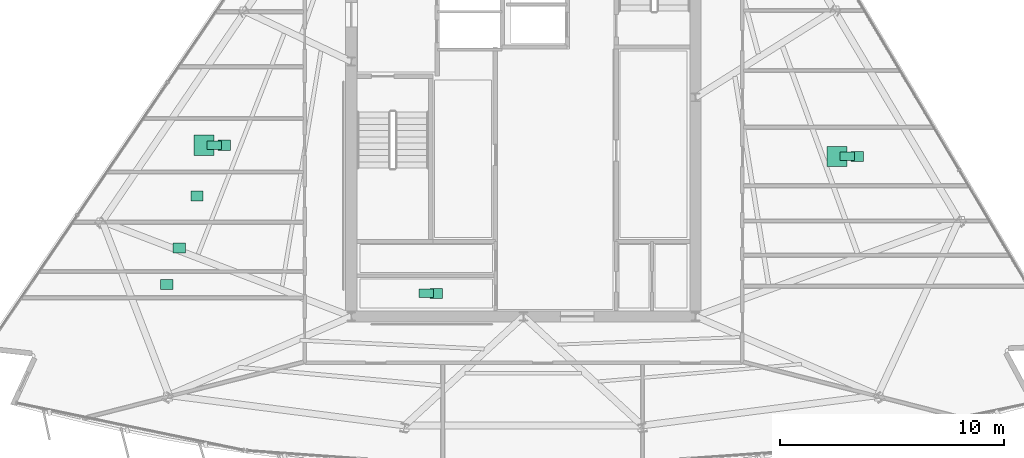
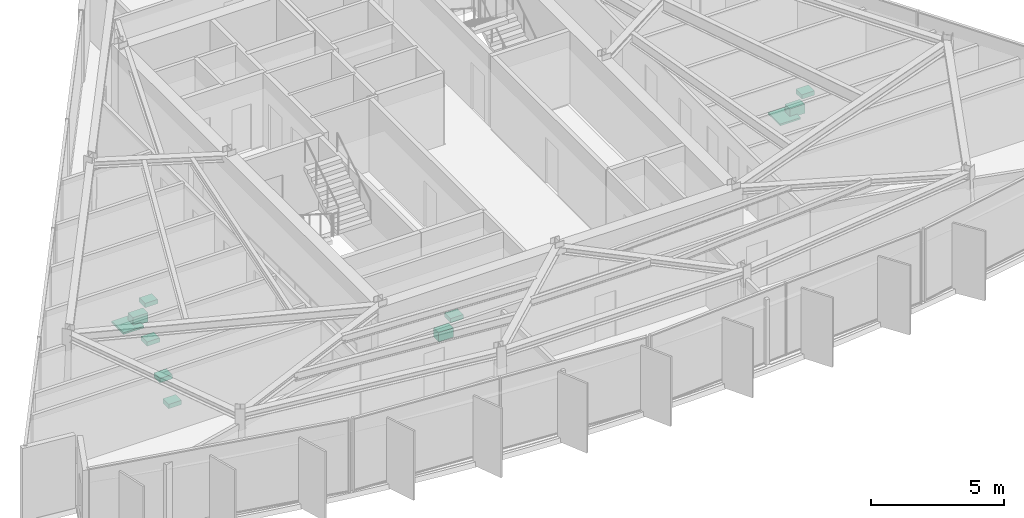
# One storey, part 13 of 13: 11 sanitary terminals.
"""IFC4 building model written with IfcOpenShell, lengths in metres."""

from ifc_helpers import new_model, si_unit, direction, frame, origin, origin_2d, place, context, subcontext, project, spatial, rectangle, extrude, material, type_object, element, save


model = new_model("IFC4")

# Units and contexts
model_context = context("Model", 3, precision=1e-05, world=origin(), true_north=direction((0.0, 1.0)))
body_context = subcontext(model_context, "Body", "Model", "MODEL_VIEW")
ifc_project = project(units=[si_unit("LENGTHUNIT", "METRE"), si_unit("AREAUNIT", "SQUARE_METRE"), si_unit("VOLUMEUNIT", "CUBIC_METRE"), si_unit("PLANEANGLEUNIT", "RADIAN"), si_unit("MASSUNIT", "GRAM", prefix="KILO")], contexts=[model_context])

# Site, building, storey
site_placement = place(None, origin())
site = spatial("IfcSite", under=ifc_project, at=site_placement, CompositionType="ELEMENT")
building_placement = place(site_placement, origin())
building = spatial("IfcBuilding", under=site, at=building_placement, Name="Savorim Split Tower", CompositionType="ELEMENT")
storey_placement = place(building_placement, frame((0.0, 0.0, 250.800048828125)))
storey = spatial("IfcBuildingStorey", under=building, at=storey_placement, Name="L66", CompositionType="ELEMENT", Elevation=250.800048828125)

# Sanitary terminals
ifc_material = material(Name="Vitreous China Sanitaryware")
sanitary_terminal_type_1 = type_object("IfcSanitaryTerminalType", Name="SAN-SHW-900", PredefinedType="SHOWER", material=ifc_material)
for number, where, z_axis, x_axis, name in (
    (1, (-14.28369140625, -1.744140625, 0.0), (0.0, 0.0, 1.0), (1.0, 0.0, 0.0), "L66 Shared Bathroom Shower"),
    (2, (14.031982421875, -2.24658203125, 0.0), (0.0, 0.0, 1.0), (1.0, 0.0, 0.0), "L66 Shared Bathroom Shower"),
):
    element("IfcSanitaryTerminal", number, at=place(storey_placement, frame(where, z_axis=z_axis, x_axis=x_axis)), inside=storey, type_object=sanitary_terminal_type_1, Name=name, PredefinedType="SHOWER", context=body_context, shape_type="SweptSolid", body=[
        extrude(rectangle(XDim=0.89990234375, YDim=0.89990234375, at=origin_2d()), origin(), (0.0, 0.0, 1.0), 0.080078125),
    ])
sanitary_terminal_type_2 = type_object("IfcSanitaryTerminalType", Name="SAN-WC-PAN", PredefinedType="TOILETPAN", material=ifc_material)
for number, where, z_axis, x_axis, name in (
    (3, (-4.35009765625, -8.3701171875, 0.0), (0.0, 0.0, 1.0), (1.0, 0.0, 0.0), "L66 Public WC WC Pan"),
    (4, (-13.833740234375, -1.744140625, 0.0), (0.0, 0.0, 1.0), (1.0, 0.0, 0.0), "L66 Shared Bathroom WC Pan"),
    (5, (14.482177734375, -2.24658203125, 0.0), (0.0, 0.0, 1.0), (1.0, 0.0, 0.0), "L66 Shared Bathroom WC Pan"),
):
    element("IfcSanitaryTerminal", number, at=place(storey_placement, frame(where, z_axis=z_axis, x_axis=x_axis)), inside=storey, type_object=sanitary_terminal_type_2, Name=name, PredefinedType="TOILETPAN", context=body_context, shape_type="SweptSolid", body=[
        extrude(rectangle(XDim=0.64990234375, YDim=0.3798828125, at=origin_2d()), origin(), (0.0, 0.0, 1.0), 0.419921875),
    ])
sanitary_terminal_type_3 = type_object("IfcSanitaryTerminalType", Name="SAN-WHB-550", PredefinedType="WASHHANDBASIN", material=ifc_material)
for number, where, z_axis, x_axis, name in (
    (6, (-3.89990234375, -8.3701171875, 0.72021484375), (0.0, 0.0, 1.0), (1.0, 0.0, 0.0), "L66 Public WC Washhand Basin"),
    (7, (-13.3837890625, -1.744140625, 0.72021484375), (0.0, 0.0, 1.0), (1.0, 0.0, 0.0), "L66 Shared Bathroom Washhand Basin"),
    (8, (-14.604736328125, -4.010986328125, 0.75), (0.0, 0.0, 1.0), (1.0, 0.0, 0.0), "L66 Shared Kitchen Utility Sink"),
    (9, (-15.39599609375, -6.33740234375, 0.75), (0.0, 0.0, 1.0), (1.0, 0.0, 0.0), "L66 Shared Kitchen Utility Sink"),
    (10, (-15.95458984375, -7.9794921875, 0.75), (0.0, 0.0, 1.0), (1.0, 0.0, 0.0), "L66 Community Laundry Room Utility Sink"),
    (11, (14.93212890625, -2.24658203125, 0.72021484375), (0.0, 0.0, 1.0), (1.0, 0.0, 0.0), "L66 Shared Bathroom Washhand Basin"),
):
    element("IfcSanitaryTerminal", number, at=place(storey_placement, frame(where, z_axis=z_axis, x_axis=x_axis)), inside=storey, type_object=sanitary_terminal_type_3, Name=name, PredefinedType="WASHHANDBASIN", context=body_context, shape_type="SweptSolid", body=[
        extrude(rectangle(XDim=0.550048828125, YDim=0.449951171875, at=origin_2d()), origin(), (0.0, 0.0, 1.0), 0.199951171875),
    ])

save(model, "model.ifc")
